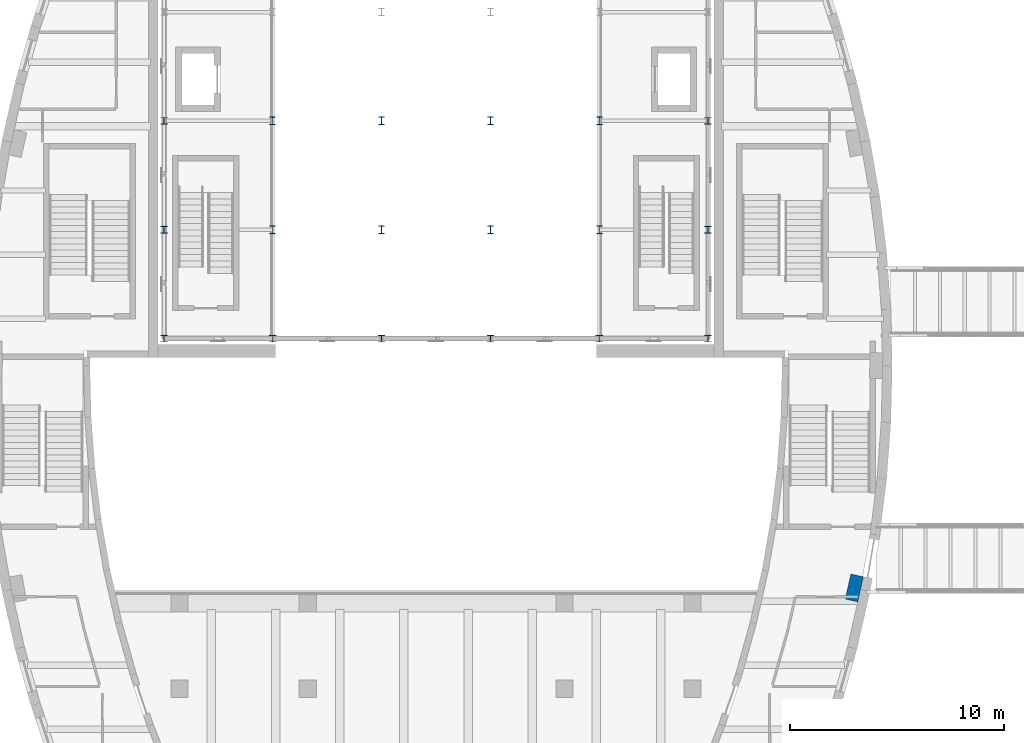
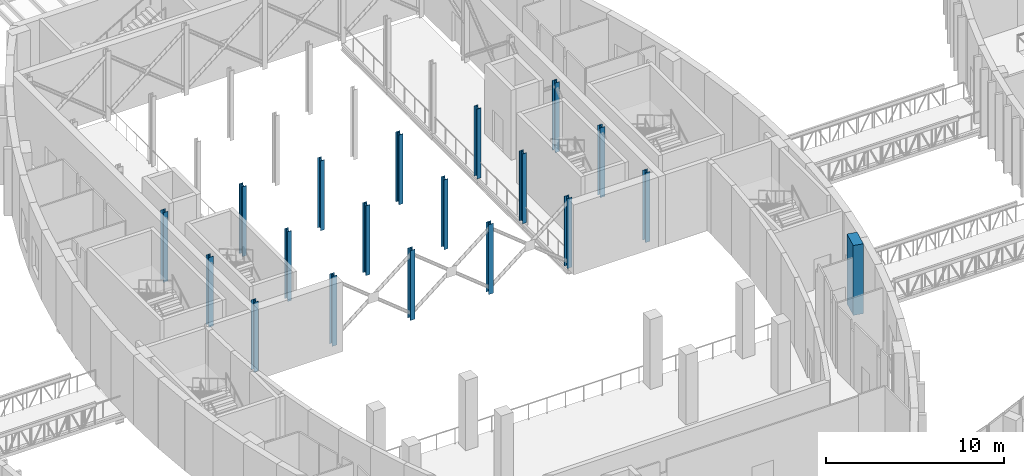
# One storey, part 2 of 93: 19 columns.
"""IFC4 building model written with IfcOpenShell, lengths in metres."""

from ifc_helpers import new_model, si_unit, direction, frame, origin, origin_2d, place, context, subcontext, project, spatial, rectangle, i_section, extrude, material, material_profile, profile_set, type_object, element, save


model = new_model("IFC4")

# Units and contexts
model_context = context("Model", 3, precision=1e-05, world=origin(), true_north=direction((0.0, 1.0)))
body_context = subcontext(model_context, "Body", "Model", "MODEL_VIEW")
ifc_project = project(units=[si_unit("LENGTHUNIT", "METRE"), si_unit("AREAUNIT", "SQUARE_METRE"), si_unit("VOLUMEUNIT", "CUBIC_METRE"), si_unit("PLANEANGLEUNIT", "RADIAN"), si_unit("MASSUNIT", "GRAM", prefix="KILO")], contexts=[model_context])

# Site, building, storey
site_placement = place(None, origin())
site = spatial("IfcSite", under=ifc_project, at=site_placement, CompositionType="ELEMENT")
building_placement = place(site_placement, origin())
building = spatial("IfcBuilding", under=site, at=building_placement, Name="Tide Square Theatres", CompositionType="ELEMENT")
storey_placement = place(building_placement, frame((0.0, 0.0, 5.39990234375)))
storey = spatial("IfcBuildingStorey", under=building, at=storey_placement, Name="L01", CompositionType="ELEMENT", Elevation=5.39990234375)

# Columns
ifc_material_1 = material(Name="Concrete C40", Category="concrete")
ifc_material_profile_1 = material_profile(ifc_material_1, rectangle(XDim=1.199951171875, YDim=0.60009765625, at=origin_2d()))
ifc_profile_set_1 = profile_set([ifc_material_profile_1], Name="Concrete C40")
column_type_1 = type_object("IfcColumnType", Name="RC pier 1200 x 600", PredefinedType="PILASTER", material=ifc_profile_set_1)
column_placement = place(storey_placement, frame((103.56201171875, 44.6123046875, 0.0), z_axis=(0.0, 0.0, 1.0), x_axis=(0.220356962886, 0.975419299024, 0.0)))
element("IfcColumn", 1, at=column_placement, inside=storey, type_object=column_type_1, Name="Rib foot pier", PredefinedType="PILASTER", context=body_context, shape_type="SweptSolid", body=[
    extrude(rectangle(XDim=1.199951171875, YDim=0.60009765625, at=origin_2d()), origin(), (0.0, 0.0, 1.0), 4.800048828125),
])
ifc_material_2 = material(Name="Steel ASTM A572 Grade 50", Category="steel")
ifc_material_profile_2 = material_profile(ifc_material_2, i_section(OverallWidth=0.31201171875, OverallDepth=0.31201171875, WebThickness=0.017333984375, FlangeThickness=0.017333984375, FilletRadius=0.01611328125, at=origin_2d()))
ifc_profile_set_2 = profile_set([ifc_material_profile_2], Name="Steel ASTM A572 Grade 50")
column_type_2 = type_object("IfcColumnType", Name="Steel column HP 310 x 125.0", PredefinedType="COLUMN", material=ifc_profile_set_2)
for number, where, z_axis, x_axis, name in (
    (2, (71.27587890625, 56.27587890625, 0.0), (0.0, 0.0, 1.0), (1.0, 0.0, 0.0), "Fly tower column"),
    (3, (71.27587890625, 61.365478515625, 0.0), (0.0, 0.0, 1.0), (1.0, 0.0, 0.0), "Fly tower column"),
    (4, (71.27587890625, 66.455078125, 0.0), (0.0, 0.0, 1.0), (1.0, 0.0, 0.0), "Fly tower column"),
    (5, (76.365478515625, 56.27587890625, 0.0), (0.0, 0.0, 1.0), (1.0, 0.0, 0.0), "Fly tower column"),
    (6, (81.455078125, 56.27587890625, 0.0), (0.0, 0.0, 1.0), (1.0, 0.0, 0.0), "Fly tower column"),
    (7, (86.544921875, 56.27587890625, 0.0), (0.0, 0.0, 1.0), (1.0, 0.0, 0.0), "Fly tower column"),
    (8, (91.634521484375, 56.27587890625, 0.0), (0.0, 0.0, 1.0), (1.0, 0.0, 0.0), "Fly tower column"),
    (9, (96.72412109375, 56.27587890625, 0.0), (0.0, 0.0, 1.0), (1.0, 0.0, 0.0), "Fly tower column"),
    (10, (96.72412109375, 61.365478515625, 0.0), (0.0, 0.0, 1.0), (1.0, 0.0, 0.0), "Fly tower column"),
    (11, (96.72412109375, 66.455078125, 0.0), (0.0, 0.0, 1.0), (1.0, 0.0, 0.0), "Fly tower column"),
):
    element("IfcColumn", number, at=place(storey_placement, frame(where, z_axis=z_axis, x_axis=x_axis)), inside=storey, type_object=column_type_2, Name=name, PredefinedType="COLUMN", context=body_context, shape_type="SweptSolid", body=[
        extrude(i_section(OverallWidth=0.31201171875, OverallDepth=0.31201171875, WebThickness=0.017333984375, FlangeThickness=0.017333984375, FilletRadius=0.01611328125, at=origin_2d()), origin(), (0.0, 0.0, 1.0), 4.800048828125),
    ])
ifc_material_3 = material(Name="Steel ASTM A572 Grade 50", Category="steel")
ifc_material_profile_3 = material_profile(ifc_material_3, i_section(OverallWidth=0.257080078125, OverallDepth=0.363037109375, WebThickness=0.012939453125, FlangeThickness=0.021728515625, FilletRadius=0.01611328125, at=origin_2d()))
ifc_profile_set_3 = profile_set([ifc_material_profile_3], Name="Steel ASTM A572 Grade 50")
column_type_3 = type_object("IfcColumnType", Name="Steel column W 360 x 122.0", PredefinedType="COLUMN", material=ifc_profile_set_3)
for number, where, z_axis, x_axis, name in (
    (12, (76.365478515625, 61.365478515625, 0.0), (0.0, 0.0, 1.0), (1.0, 0.0, 0.0), "Fly tower column"),
    (13, (76.365478515625, 66.455078125, 0.0), (0.0, 0.0, 1.0), (1.0, 0.0, 0.0), "Fly tower column"),
    (14, (81.455078125, 61.365478515625, 0.0), (0.0, 0.0, 1.0), (1.0, 0.0, 0.0), "Fly tower column"),
    (15, (81.455078125, 66.455078125, 0.0), (0.0, 0.0, 1.0), (1.0, 0.0, 0.0), "Fly tower column"),
    (16, (86.544921875, 61.365478515625, 0.0), (0.0, 0.0, 1.0), (1.0, 0.0, 0.0), "Fly tower column"),
    (17, (86.544921875, 66.455078125, 0.0), (0.0, 0.0, 1.0), (1.0, 0.0, 0.0), "Fly tower column"),
    (18, (91.634521484375, 61.365478515625, 0.0), (0.0, 0.0, 1.0), (1.0, 0.0, 0.0), "Fly tower column"),
    (19, (91.634521484375, 66.455078125, 0.0), (0.0, 0.0, 1.0), (1.0, 0.0, 0.0), "Fly tower column"),
):
    element("IfcColumn", number, at=place(storey_placement, frame(where, z_axis=z_axis, x_axis=x_axis)), inside=storey, type_object=column_type_3, Name=name, PredefinedType="COLUMN", context=body_context, shape_type="SweptSolid", body=[
        extrude(i_section(OverallWidth=0.257080078125, OverallDepth=0.363037109375, WebThickness=0.012939453125, FlangeThickness=0.021728515625, FilletRadius=0.01611328125, at=origin_2d()), origin(), (0.0, 0.0, 1.0), 4.800048828125),
    ])

save(model, "model.ifc")
